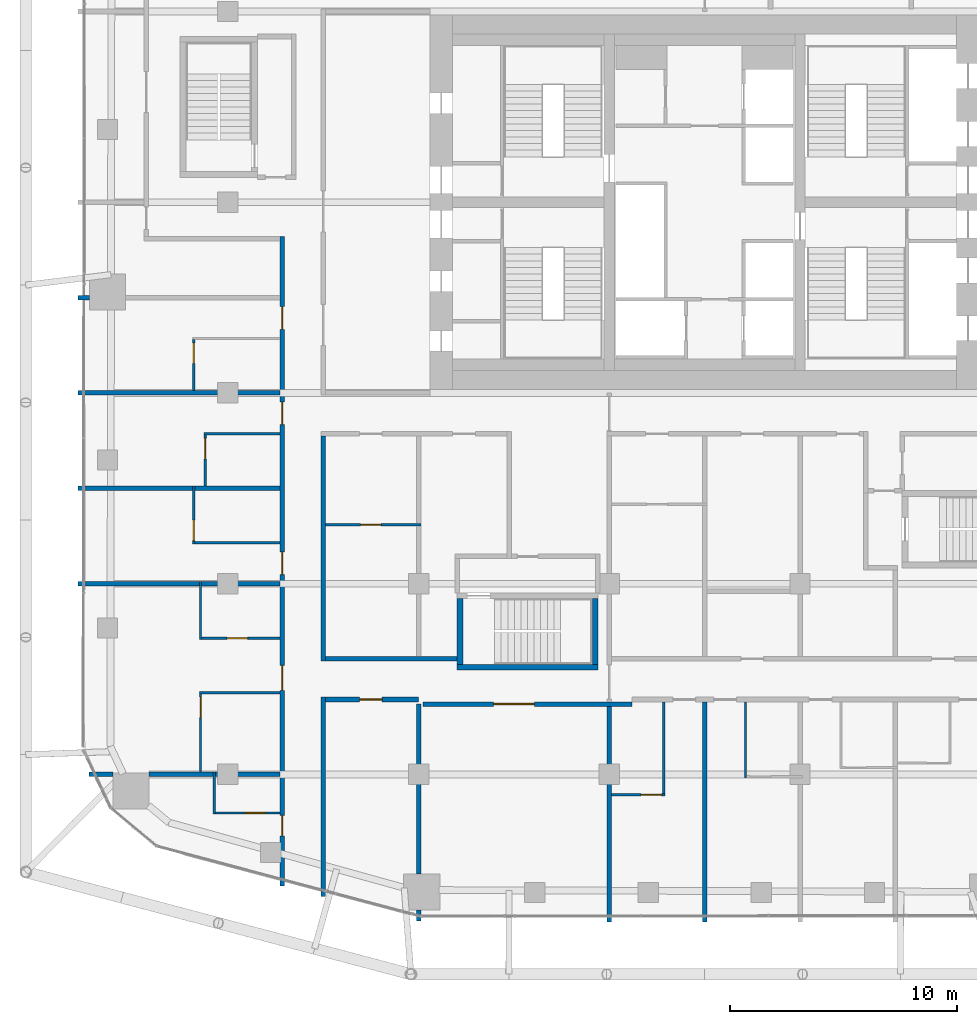
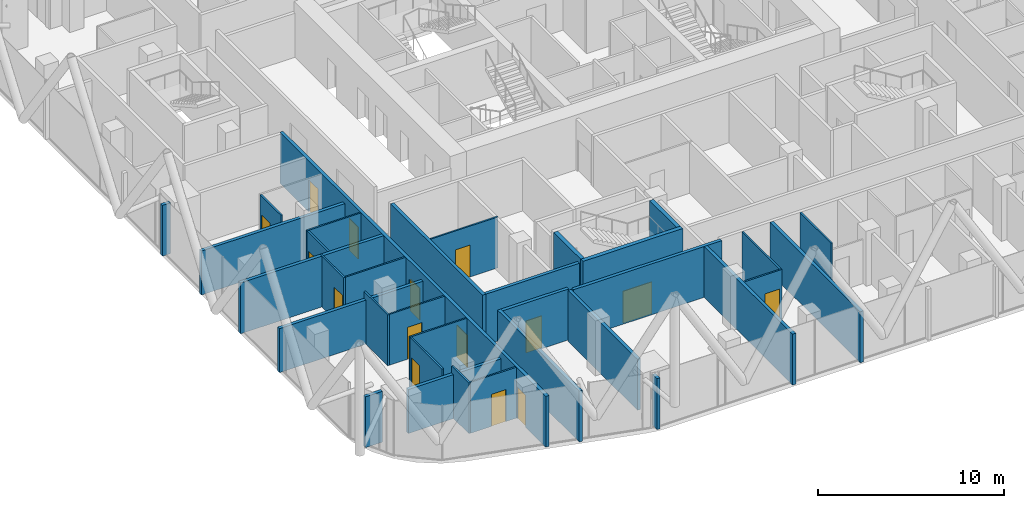
# One storey, part 27 of 36: 34 walls, 15 doors, 15 openings.
"""IFC4 building model written with IfcOpenShell, lengths in metres."""

from ifc_helpers import new_model, si_unit, direction, frame, frame_2d, origin, place, context, subcontext, project, spatial, rectangle, extrude, material, layer, layer_set, type_object, element, fill, save


model = new_model("IFC4")

# Units and contexts
model_context = context("Model", 3, precision=1e-05, world=origin(), true_north=direction((0.0, 1.0)))
body_context = subcontext(model_context, "Body", "Model", "MODEL_VIEW")
ifc_project = project(units=[si_unit("LENGTHUNIT", "METRE"), si_unit("AREAUNIT", "SQUARE_METRE"), si_unit("VOLUMEUNIT", "CUBIC_METRE"), si_unit("PLANEANGLEUNIT", "RADIAN"), si_unit("MASSUNIT", "GRAM", prefix="KILO")], contexts=[model_context])

# Site, building, storey
site_placement = place(None, origin())
site = spatial("IfcSite", under=ifc_project, at=site_placement, CompositionType="ELEMENT")
building_placement = place(site_placement, origin())
building = spatial("IfcBuilding", under=site, at=building_placement, Name="Marenta Gate Hotel Tower", CompositionType="ELEMENT")
storey_placement = place(building_placement, frame((0.0, 0.0, 144.5)))
storey = spatial("IfcBuildingStorey", under=building, at=storey_placement, Name="L33", CompositionType="ELEMENT", Elevation=144.5)

# Walls
ifc_material_1 = material(Name="Concrete blockwork", Category="masonry")
ifc_layer_1 = layer(ifc_material_1, 0.199951171875)
ifc_layer_set_1 = layer_set([ifc_layer_1], Name="Concrete blockwork")
wall_type_1 = type_object("IfcWallType", Name="Compartment wall 200 REI 180", PredefinedType="PARTITIONING", material=ifc_layer_set_1)
wall_1_placement = place(storey_placement, frame((-4.199951171875, -23.300048828125, 0.0), z_axis=(0.0, 0.0, 1.0), x_axis=(0.0, 1.0, 0.0)))
element("IfcWall", 1, at=wall_1_placement, inside=storey, type_object=wall_type_1, Name="L33-PTN-W082", PredefinedType="PARTITIONING", context=body_context, shape_type="SweptSolid", body=[
    extrude(rectangle(XDim=9.5, YDim=0.199951171875, at=frame_2d((4.75, 0.0))), origin(), (0.0, 0.0, 1.0), 3.340087890625),
])
ifc_material_2 = material(Name="Concrete C40", Category="concrete")
ifc_layer_2 = layer(ifc_material_2, 0.25)
ifc_layer_set_2 = layer_set([ifc_layer_2], Name="Concrete C40")
wall_type_2 = type_object("IfcWallType", Name="Remote stair enclosure wall 250 REI 180", PredefinedType="SHEAR", material=ifc_layer_set_2)
wall_2_placement = place(storey_placement, frame((-10.89990234375, -12.074951171875, 0.10009765625), z_axis=(0.0, 0.0, 1.0), x_axis=(1.0, 0.0, 0.0)))
element("IfcWall", 2, at=wall_2_placement, inside=storey, type_object=wall_type_2, Name="L33-RS-Z2-1-W1", PredefinedType="SHEAR", context=body_context, shape_type="SweptSolid", body=[
    extrude(rectangle(XDim=6.199951171875, YDim=0.25, at=frame_2d((3.10009765625, 0.0))), origin(), (0.0, 0.0, 1.0), 3.599853515625),
])
for number, where, z_axis, x_axis, name in (
    (3, (-10.77490234375, -11.949951171875, 0.10009765625), (0.0, 0.0, 1.0), (0.0, 1.0, 0.0), "L33-RS-Z2-1-W3"),
    (4, (-4.824951171875, -11.949951171875, 0.10009765625), (0.0, 0.0, 1.0), (0.0, 1.0, 0.0), "L33-RS-Z2-1-W4"),
):
    element("IfcWall", number, at=place(storey_placement, frame(where, z_axis=z_axis, x_axis=x_axis)), inside=storey, type_object=wall_type_2, Name=name, PredefinedType="SHEAR", context=body_context, shape_type="SweptSolid", body=[
        extrude(rectangle(XDim=2.89990234375, YDim=0.25, at=frame_2d((1.449951171875, 0.0))), origin(), (0.0, 0.0, 1.0), 3.599853515625),
    ])

# Wall, opening, door
ifc_material_3 = material(Name="Gypsum board on steel stud", Category="steel")
ifc_layer_3 = layer(ifc_material_3, 0.199951171875)
ifc_layer_set_3 = layer_set([ifc_layer_3], Name="Gypsum board on steel stud")
wall_type_3 = type_object("IfcWallType", Name="Room corridor wall 200 EI 60", PredefinedType="PARTITIONING", material=ifc_layer_set_3)
wall_3_placement = place(storey_placement, frame((-12.39990234375, -13.699951171875, 0.0), z_axis=(0.0, 0.0, 1.0), x_axis=(1.0, 0.0, 0.0)))
wall_3 = element("IfcWall", 5, at=wall_3_placement, inside=storey, type_object=wall_type_3, Name="L33-PTN-W028", PredefinedType="PARTITIONING", context=body_context, shape_type="SweptSolid", body=[
    extrude(rectangle(XDim=9.199951171875, YDim=0.199951171875, at=frame_2d((4.60009765625, 0.0))), origin(), (0.0, 0.0, 1.0), 3.340087890625),
])
opening_1_placement = place(wall_3_placement, frame((3.10009765625, 0.0, 0.0)))
opening_1 = element("IfcOpeningElement", 6, at=opening_1_placement, cuts=wall_3, Name="Opening G12-39", PredefinedType="OPENING", context=body_context, shape_type="SweptSolid", body=[
    extrude(rectangle(XDim=1.800048828125, YDim=2.10009765625, at=frame_2d((0.89990234375, 1.050048828125))), frame((0.0, 0.10009765625, 0.0), z_axis=(0.0, -1.0, 0.0), x_axis=(1.0, 0.0, 0.0)), (0.0, 0.0, 1.0), 0.199951171875),
])
ifc_material_4 = material(Name="Timber door leaf", Category="wood")
door_type_1 = type_object("IfcDoorType", Name="Room amenity door 1800x2100 EI 30", OperationType="DOUBLE_DOOR_SINGLE_SWING", PredefinedType="DOOR", material=ifc_material_4)
door_1_placement = place(opening_1_placement, origin())
door_1 = element("IfcDoor", 7, at=door_1_placement, inside=storey, type_object=door_type_1, Name="L33-PD-D039", OperationType="DOUBLE_DOOR_SINGLE_SWING", OverallHeight=2.10009765625, OverallWidth=1.800048828125, PredefinedType="DOOR", context=body_context, shape_type="SweptSolid", body=[
    extrude(rectangle(XDim=1.800048828125, YDim=2.10009765625, at=frame_2d((0.89990234375, 1.050048828125))), frame((0.0, 0.02490234375, 0.0), z_axis=(0.0, -1.0, 0.0), x_axis=(1.0, 0.0, 0.0)), (0.0, 0.0, 1.0), 0.050048828125),
])
fill(opening_1, door_1)

wall_4_placement = place(storey_placement, frame((-16.699951171875, -13.5, 0.0), z_axis=(0.0, 0.0, 1.0), x_axis=(1.0, 0.0, 0.0)))
wall_4 = element("IfcWall", 8, at=wall_4_placement, inside=storey, type_object=wall_type_3, Name="L33-PTN-W029", PredefinedType="PARTITIONING", context=body_context, shape_type="SweptSolid", body=[
    extrude(rectangle(XDim=4.099853515625, YDim=0.199951171875, at=frame_2d((2.0498046875, 0.0))), origin(), (0.0, 0.0, 1.0), 3.340087890625),
])
opening_2_placement = place(wall_4_placement, frame((1.5, 0.0, 0.0)))
opening_2 = element("IfcOpeningElement", 9, at=opening_2_placement, cuts=wall_4, Name="Opening G12-38", PredefinedType="OPENING", context=body_context, shape_type="SweptSolid", body=[
    extrude(rectangle(XDim=1.0, YDim=2.10009765625, at=frame_2d((0.5, 1.050048828125))), frame((0.0, 0.10009765625, 0.0), z_axis=(0.0, -1.0, 0.0), x_axis=(1.0, 0.0, 0.0)), (0.0, 0.0, 1.0), 0.199951171875),
])
ifc_material_5 = material(Name="Timber door leaf", Category="wood")
door_type_2 = type_object("IfcDoorType", Name="Room amenity door 1000x2100 EI 30", OperationType="NOTDEFINED", PredefinedType="DOOR", material=ifc_material_5)
door_2_placement = place(opening_2_placement, origin())
door_2 = element("IfcDoor", 10, at=door_2_placement, inside=storey, type_object=door_type_2, Name="L33-PD-D038", OperationType="SINGLE_SWING_LEFT", OverallHeight=2.10009765625, OverallWidth=1.0, PredefinedType="DOOR", context=body_context, shape_type="SweptSolid", body=[
    extrude(rectangle(XDim=1.0, YDim=2.10009765625, at=frame_2d((0.5, 1.050048828125))), frame((0.0, 0.02490234375, 0.0), z_axis=(0.0, -1.0, 0.0), x_axis=(1.0, 0.0, 0.0)), (0.0, 0.0, 1.0), 0.050048828125),
])
fill(opening_2, door_2)

# Walls
wall_5_placement = place(storey_placement, frame((-16.699951171875, -11.699951171875, 0.0), z_axis=(0.0, 0.0, 1.0), x_axis=(1.0, 0.0, 0.0)))
element("IfcWall", 11, at=wall_5_placement, inside=storey, type_object=wall_type_3, Name="L33-PTN-W037", PredefinedType="PARTITIONING", context=body_context, shape_type="SweptSolid", body=[
    extrude(rectangle(XDim=5.800048828125, YDim=0.199951171875, at=frame_2d((2.89990234375, 0.0))), origin(), (0.0, 0.0, 1.0), 3.340087890625),
])
wall_6_placement = place(storey_placement, frame((-16.800048828125, -22.18603515625, 0.0), z_axis=(0.0, 0.0, 1.0), x_axis=(0.0, 1.0, 0.0)))
element("IfcWall", 12, at=wall_6_placement, inside=storey, type_object=wall_type_3, Name="L33-PTN-W103", PredefinedType="PARTITIONING", context=body_context, shape_type="SweptSolid", body=[
    extrude(rectangle(XDim=8.7861328125, YDim=0.199951171875, at=frame_2d((4.39306640625, 0.0))), origin(), (0.0, 0.0, 1.0), 3.340087890625),
])
wall_7_placement = place(storey_placement, frame((-16.800048828125, -11.800048828125, 0.0), z_axis=(0.0, 0.0, 1.0), x_axis=(0.0, 1.0, 0.0)))
element("IfcWall", 13, at=wall_7_placement, inside=storey, type_object=wall_type_3, Name="L33-PTN-W104", PredefinedType="PARTITIONING", context=body_context, shape_type="SweptSolid", body=[
    extrude(rectangle(XDim=9.900146484375, YDim=0.199951171875, at=frame_2d((4.9501953125, 0.0))), origin(), (0.0, 0.0, 1.0), 3.340087890625),
])

# Wall, openings, doors
wall_8_placement = place(storey_placement, frame((-18.60009765625, -21.7080078125, 0.0), z_axis=(0.0, 0.0, 1.0), x_axis=(0.0, 1.0, 0.0)))
wall_8 = element("IfcWall", 14, at=wall_8_placement, inside=storey, type_object=wall_type_3, Name="L33-PTN-W110", PredefinedType="PARTITIONING", context=body_context, shape_type="SweptSolid", body=[
    extrude(rectangle(XDim=28.60791015625, YDim=0.199951171875, at=frame_2d((14.303955078125, 0.0))), origin(), (0.0, 0.0, 1.0), 3.340087890625),
])
opening_3_placement = place(wall_8_placement, frame((2.2041015625, 0.0, 0.0)))
opening_3 = element("IfcOpeningElement", 15, at=opening_3_placement, cuts=wall_8, Name="Opening G12-50", PredefinedType="OPENING", context=body_context, shape_type="SweptSolid", body=[
    extrude(rectangle(XDim=0.89990234375, YDim=2.10009765625, at=frame_2d((0.449951171875, 1.050048828125))), frame((0.0, 0.10009765625, 0.0), z_axis=(0.0, -1.0, 0.0), x_axis=(1.0, 0.0, 0.0)), (0.0, 0.0, 1.0), 0.199951171875),
])
opening_4_placement = place(wall_8_placement, frame((8.60791015625, 0.0, 0.0)))
opening_4 = element("IfcOpeningElement", 16, at=opening_4_placement, cuts=wall_8, Name="Opening G12-52", PredefinedType="OPENING", context=body_context, shape_type="SweptSolid", body=[
    extrude(rectangle(XDim=1.10009765625, YDim=2.10009765625, at=frame_2d((0.550048828125, 1.050048828125))), frame((0.0, 0.10009765625, 0.0), z_axis=(0.0, -1.0, 0.0), x_axis=(1.0, 0.0, 0.0)), (0.0, 0.0, 1.0), 0.199951171875),
])
opening_5_placement = place(wall_8_placement, frame((13.7080078125, 0.0, 0.0)))
opening_5 = element("IfcOpeningElement", 17, at=opening_5_placement, cuts=wall_8, Name="Opening G12-55", PredefinedType="OPENING", context=body_context, shape_type="SweptSolid", body=[
    extrude(rectangle(XDim=1.0, YDim=2.10009765625, at=frame_2d((0.5, 1.050048828125))), frame((0.0, 0.10009765625, 0.0), z_axis=(0.0, -1.0, 0.0), x_axis=(1.0, 0.0, 0.0)), (0.0, 0.0, 1.0), 0.199951171875),
])
opening_6_placement = place(wall_8_placement, frame((20.30810546875, 0.0, 0.0)))
opening_6 = element("IfcOpeningElement", 18, at=opening_6_placement, cuts=wall_8, Name="Opening G12-57", PredefinedType="OPENING", context=body_context, shape_type="SweptSolid", body=[
    extrude(rectangle(XDim=1.0, YDim=2.10009765625, at=frame_2d((0.5, 1.050048828125))), frame((0.0, 0.10009765625, 0.0), z_axis=(0.0, -1.0, 0.0), x_axis=(1.0, 0.0, 0.0)), (0.0, 0.0, 1.0), 0.199951171875),
])
opening_7_placement = place(wall_8_placement, frame((24.508056640625, 0.0, 0.0)))
opening_7 = element("IfcOpeningElement", 19, at=opening_7_placement, cuts=wall_8, Name="Opening G12-59", PredefinedType="OPENING", context=body_context, shape_type="SweptSolid", body=[
    extrude(rectangle(XDim=1.0, YDim=2.10009765625, at=frame_2d((0.5, 1.050048828125))), frame((0.0, 0.10009765625, 0.0), z_axis=(0.0, -1.0, 0.0), x_axis=(1.0, 0.0, 0.0)), (0.0, 0.0, 1.0), 0.199951171875),
])
ifc_material_6 = material(Name="Timber door leaf", Category="wood")
door_type_3 = type_object("IfcDoorType", Name="Guest room door 1000x2100 EI 30", OperationType="NOTDEFINED", PredefinedType="DOOR", material=ifc_material_6)
door_3_placement = place(opening_5_placement, origin())
door_3 = element("IfcDoor", 20, at=door_3_placement, inside=storey, type_object=door_type_3, Name="L33-PD-D055", OperationType="SINGLE_SWING_RIGHT", OverallHeight=2.10009765625, OverallWidth=1.0, PredefinedType="DOOR", context=body_context, shape_type="SweptSolid", body=[
    extrude(rectangle(XDim=1.0, YDim=2.10009765625, at=frame_2d((0.5, 1.050048828125))), frame((0.0, 0.02490234375, 0.0), z_axis=(0.0, -1.0, 0.0), x_axis=(1.0, 0.0, 0.0)), (0.0, 0.0, 1.0), 0.050048828125),
])
fill(opening_5, door_3)
door_4_placement = place(opening_6_placement, origin())
door_4 = element("IfcDoor", 21, at=door_4_placement, inside=storey, type_object=door_type_3, Name="L33-PD-D057", OperationType="SINGLE_SWING_RIGHT", OverallHeight=2.10009765625, OverallWidth=1.0, PredefinedType="DOOR", context=body_context, shape_type="SweptSolid", body=[
    extrude(rectangle(XDim=1.0, YDim=2.10009765625, at=frame_2d((0.5, 1.050048828125))), frame((0.0, 0.02490234375, 0.0), z_axis=(0.0, -1.0, 0.0), x_axis=(1.0, 0.0, 0.0)), (0.0, 0.0, 1.0), 0.050048828125),
])
fill(opening_6, door_4)
door_5_placement = place(opening_7_placement, origin())
door_5 = element("IfcDoor", 22, at=door_5_placement, inside=storey, type_object=door_type_3, Name="L33-PD-D059", OperationType="SINGLE_SWING_RIGHT", OverallHeight=2.10009765625, OverallWidth=1.0, PredefinedType="DOOR", context=body_context, shape_type="SweptSolid", body=[
    extrude(rectangle(XDim=1.0, YDim=2.10009765625, at=frame_2d((0.5, 1.050048828125))), frame((0.0, 0.02490234375, 0.0), z_axis=(0.0, -1.0, 0.0), x_axis=(1.0, 0.0, 0.0)), (0.0, 0.0, 1.0), 0.050048828125),
])
fill(opening_7, door_5)
ifc_material_7 = material(Name="Timber door leaf", Category="wood")
door_type_4 = type_object("IfcDoorType", Name="Guest room door 1100x2100 EI 30", OperationType="NOTDEFINED", PredefinedType="DOOR", material=ifc_material_7)
door_6_placement = place(opening_4_placement, origin())
door_6 = element("IfcDoor", 23, at=door_6_placement, inside=storey, type_object=door_type_4, Name="L33-PD-D052", OperationType="SINGLE_SWING_LEFT", OverallHeight=2.10009765625, OverallWidth=1.10009765625, PredefinedType="DOOR", context=body_context, shape_type="SweptSolid", body=[
    extrude(rectangle(XDim=1.10009765625, YDim=2.10009765625, at=frame_2d((0.550048828125, 1.050048828125))), frame((0.0, 0.02490234375, 0.0), z_axis=(0.0, -1.0, 0.0), x_axis=(1.0, 0.0, 0.0)), (0.0, 0.0, 1.0), 0.050048828125),
])
fill(opening_4, door_6)
ifc_material_8 = material(Name="Timber door leaf", Category="wood")
door_type_5 = type_object("IfcDoorType", Name="Guest room door 900x2100 EI 30", OperationType="NOTDEFINED", PredefinedType="DOOR", material=ifc_material_8)
door_7_placement = place(opening_3_placement, origin())
door_7 = element("IfcDoor", 24, at=door_7_placement, inside=storey, type_object=door_type_5, Name="L33-PD-D050", OperationType="SINGLE_SWING_RIGHT", OverallHeight=2.10009765625, OverallWidth=0.89990234375, PredefinedType="DOOR", context=body_context, shape_type="SweptSolid", body=[
    extrude(rectangle(XDim=0.89990234375, YDim=2.10009765625, at=frame_2d((0.449951171875, 1.050048828125))), frame((0.0, 0.02490234375, 0.0), z_axis=(0.0, -1.0, 0.0), x_axis=(1.0, 0.0, 0.0)), (0.0, 0.0, 1.0), 0.050048828125),
])
fill(opening_3, door_7)

# Wall, opening, door
ifc_material_9 = material(Name="Gypsum board on steel stud", Category="steel")
ifc_layer_4 = layer(ifc_material_9, 0.10009765625)
ifc_layer_set_4 = layer_set([ifc_layer_4], Name="Gypsum board on steel stud")
wall_type_4 = type_object("IfcWallType", Name="Room partition 100", PredefinedType="PARTITIONING", material=ifc_layer_set_4)
wall_9_placement = place(storey_placement, frame((-21.550048828125, -18.5, 0.0), z_axis=(0.0, 0.0, 1.0), x_axis=(1.0, 0.0, 0.0)))
wall_9 = element("IfcWall", 25, at=wall_9_placement, inside=storey, type_object=wall_type_4, Name="L33-PTN-W014", PredefinedType="PARTITIONING", context=body_context, shape_type="SweptSolid", body=[
    extrude(rectangle(XDim=2.85009765625, YDim=0.10009765625, at=frame_2d((1.425048828125, 0.0))), origin(), (0.0, 0.0, 1.0), 3.340087890625),
])
opening_8_placement = place(wall_9_placement, frame((1.300048828125, 0.0, 0.0)))
opening_8 = element("IfcOpeningElement", 26, at=opening_8_placement, cuts=wall_9, Name="Opening G12-51", PredefinedType="OPENING", context=body_context, shape_type="SweptSolid", body=[
    extrude(rectangle(XDim=0.89990234375, YDim=2.10009765625, at=frame_2d((0.449951171875, 1.050048828125))), frame((0.0, 0.050048828125, 0.0), z_axis=(0.0, -1.0, 0.0), x_axis=(1.0, 0.0, 0.0)), (0.0, 0.0, 1.0), 0.10009765625),
])
ifc_material_10 = material(Name="Timber door leaf", Category="wood")
door_type_6 = type_object("IfcDoorType", Name="Guest bathroom door 900x2100", OperationType="NOTDEFINED", PredefinedType="DOOR", material=ifc_material_10)
door_8_placement = place(opening_8_placement, origin())
door_8 = element("IfcDoor", 27, at=door_8_placement, inside=storey, type_object=door_type_6, Name="L33-PD-D051", OperationType="SINGLE_SWING_RIGHT", OverallHeight=2.10009765625, OverallWidth=0.89990234375, PredefinedType="DOOR", context=body_context, shape_type="SweptSolid", body=[
    extrude(rectangle(XDim=0.89990234375, YDim=2.10009765625, at=frame_2d((0.449951171875, 1.050048828125))), frame((0.0, 0.02490234375, 0.0), z_axis=(0.0, -1.0, 0.0), x_axis=(1.0, 0.0, 0.0)), (0.0, 0.0, 1.0), 0.050048828125),
])
fill(opening_8, door_8)

wall_10_placement = place(storey_placement, frame((-4.10009765625, -17.699951171875, 0.0), z_axis=(0.0, 0.0, 1.0), x_axis=(1.0, 0.0, 0.0)))
wall_10 = element("IfcWall", 28, at=wall_10_placement, inside=storey, type_object=wall_type_4, Name="L33-PTN-W015", PredefinedType="PARTITIONING", context=body_context, shape_type="SweptSolid", body=[
    extrude(rectangle(XDim=2.35009765625, YDim=0.10009765625, at=frame_2d((1.175048828125, 0.0))), origin(), (0.0, 0.0, 1.0), 3.340087890625),
])
opening_9_placement = place(wall_10_placement, frame((1.300048828125, 0.0, 0.0)))
opening_9 = element("IfcOpeningElement", 29, at=opening_9_placement, cuts=wall_10, Name="Opening G12-41", PredefinedType="OPENING", context=body_context, shape_type="SweptSolid", body=[
    extrude(rectangle(XDim=0.89990234375, YDim=2.10009765625, at=frame_2d((0.449951171875, 1.050048828125))), frame((0.0, 0.050048828125, 0.0), z_axis=(0.0, -1.0, 0.0), x_axis=(1.0, 0.0, 0.0)), (0.0, 0.0, 1.0), 0.10009765625),
])
door_9_placement = place(opening_9_placement, origin())
door_9 = element("IfcDoor", 30, at=door_9_placement, inside=storey, type_object=door_type_6, Name="L33-PD-D041", OperationType="SINGLE_SWING_RIGHT", OverallHeight=2.10009765625, OverallWidth=0.89990234375, PredefinedType="DOOR", context=body_context, shape_type="SweptSolid", body=[
    extrude(rectangle(XDim=0.89990234375, YDim=2.10009765625, at=frame_2d((0.449951171875, 1.050048828125))), frame((0.0, 0.02490234375, 0.0), z_axis=(0.0, -1.0, 0.0), x_axis=(1.0, 0.0, 0.0)), (0.0, 0.0, 1.0), 0.050048828125),
])
fill(opening_9, door_9)

# Wall
wall_11_placement = place(storey_placement, frame((-22.25, -13.199951171875, 0.0), z_axis=(0.0, 0.0, 1.0), x_axis=(1.0, 0.0, 0.0)))
element("IfcWall", 31, at=wall_11_placement, inside=storey, type_object=wall_type_4, Name="L33-PTN-W031", PredefinedType="PARTITIONING", context=body_context, shape_type="SweptSolid", body=[
    extrude(rectangle(XDim=3.550048828125, YDim=0.10009765625, at=frame_2d((1.77490234375, 0.0))), origin(), (0.0, 0.0, 1.0), 3.340087890625),
])

# Wall, opening, door
wall_12_placement = place(storey_placement, frame((-22.14990234375, -10.800048828125, 0.0), z_axis=(0.0, 0.0, 1.0), x_axis=(1.0, 0.0, 0.0)))
wall_12 = element("IfcWall", 32, at=wall_12_placement, inside=storey, type_object=wall_type_4, Name="L33-PTN-W040", PredefinedType="PARTITIONING", context=body_context, shape_type="SweptSolid", body=[
    extrude(rectangle(XDim=3.449951171875, YDim=0.10009765625, at=frame_2d((1.72509765625, 0.0))), origin(), (0.0, 0.0, 1.0), 3.340087890625),
])
opening_10_placement = place(wall_12_placement, frame((1.1201171875, 0.0, 0.0)))
opening_10 = element("IfcOpeningElement", 33, at=opening_10_placement, cuts=wall_12, Name="Opening G12-54", PredefinedType="OPENING", context=body_context, shape_type="SweptSolid", body=[
    extrude(rectangle(XDim=0.89990234375, YDim=2.10009765625, at=frame_2d((0.449951171875, 1.050048828125))), frame((0.0, 0.050048828125, 0.0), z_axis=(0.0, -1.0, 0.0), x_axis=(1.0, 0.0, 0.0)), (0.0, 0.0, 1.0), 0.10009765625),
])
ifc_material_11 = material(Name="Timber door leaf", Category="wood")
door_type_7 = type_object("IfcDoorType", Name="Room inner door 900x2100", OperationType="NOTDEFINED", PredefinedType="DOOR", material=ifc_material_11)
door_10_placement = place(opening_10_placement, origin())
door_10 = element("IfcDoor", 34, at=door_10_placement, inside=storey, type_object=door_type_7, Name="L33-PD-D054", OperationType="SINGLE_SWING_LEFT", OverallHeight=2.10009765625, OverallWidth=0.89990234375, PredefinedType="DOOR", context=body_context, shape_type="SweptSolid", body=[
    extrude(rectangle(XDim=0.89990234375, YDim=2.10009765625, at=frame_2d((0.449951171875, 1.050048828125))), frame((0.0, 0.02490234375, 0.0), z_axis=(0.0, -1.0, 0.0), x_axis=(1.0, 0.0, 0.0)), (0.0, 0.0, 1.0), 0.050048828125),
])
fill(opening_10, door_10)

# Wall
wall_13_placement = place(storey_placement, frame((-22.449951171875, -6.60009765625, 0.0), z_axis=(0.0, 0.0, 1.0), x_axis=(1.0, 0.0, 0.0)))
element("IfcWall", 35, at=wall_13_placement, inside=storey, type_object=wall_type_4, Name="L33-PTN-W054", PredefinedType="PARTITIONING", context=body_context, shape_type="SweptSolid", body=[
    extrude(rectangle(XDim=3.75, YDim=0.10009765625, at=frame_2d((1.875, 0.0))), origin(), (0.0, 0.0, 1.0), 3.340087890625),
])

# Wall, opening, door
wall_14_placement = place(storey_placement, frame((-16.699951171875, -5.800048828125, 0.0), z_axis=(0.0, 0.0, 1.0), x_axis=(1.0, 0.0, 0.0)))
wall_14 = element("IfcWall", 36, at=wall_14_placement, inside=storey, type_object=wall_type_4, Name="L33-PTN-W057", PredefinedType="PARTITIONING", context=body_context, shape_type="SweptSolid", body=[
    extrude(rectangle(XDim=4.199951171875, YDim=0.10009765625, at=frame_2d((2.10009765625, 0.0))), origin(), (0.0, 0.0, 1.0), 3.340087890625),
])
opening_11_placement = place(wall_14_placement, frame((1.550048828125, 0.0, 0.0)))
opening_11 = element("IfcOpeningElement", 37, at=opening_11_placement, cuts=wall_14, Name="Opening G12-02", PredefinedType="OPENING", context=body_context, shape_type="SweptSolid", body=[
    extrude(rectangle(XDim=0.89990234375, YDim=2.10009765625, at=frame_2d((0.449951171875, 1.050048828125))), frame((0.0, 0.050048828125, 0.0), z_axis=(0.0, -1.0, 0.0), x_axis=(1.0, 0.0, 0.0)), (0.0, 0.0, 1.0), 0.10009765625),
])
door_11_placement = place(opening_11_placement, origin())
door_11 = element("IfcDoor", 38, at=door_11_placement, inside=storey, type_object=door_type_7, Name="L33-PD-D002", OperationType="SINGLE_SWING_RIGHT", OverallHeight=2.10009765625, OverallWidth=0.89990234375, PredefinedType="DOOR", context=body_context, shape_type="SweptSolid", body=[
    extrude(rectangle(XDim=0.89990234375, YDim=2.10009765625, at=frame_2d((0.449951171875, 1.050048828125))), frame((0.0, 0.02490234375, 0.0), z_axis=(0.0, -1.0, 0.0), x_axis=(1.0, 0.0, 0.0)), (0.0, 0.0, 1.0), 0.050048828125),
])
fill(opening_11, door_11)

# Walls
wall_15_placement = place(storey_placement, frame((1.800048828125, -16.949951171875, 0.0), z_axis=(0.0, 0.0, 1.0), x_axis=(0.0, 1.0, 0.0)))
element("IfcWall", 39, at=wall_15_placement, inside=storey, type_object=wall_type_4, Name="L33-PTN-W066", PredefinedType="PARTITIONING", context=body_context, shape_type="SweptSolid", body=[
    extrude(rectangle(XDim=3.349853515625, YDim=0.10009765625, at=frame_2d((1.6748046875, 0.0))), origin(), (0.0, 0.0, 1.0), 3.340087890625),
])
wall_16_placement = place(storey_placement, frame((-22.050048828125, -1.800048828125, 0.0), z_axis=(0.0, 0.0, 1.0), x_axis=(1.0, 0.0, 0.0)))
element("IfcWall", 40, at=wall_16_placement, inside=storey, type_object=wall_type_4, Name="L33-PTN-W067", PredefinedType="PARTITIONING", context=body_context, shape_type="SweptSolid", body=[
    extrude(rectangle(XDim=3.35009765625, YDim=0.10009765625, at=frame_2d((1.675048828125, 0.0))), origin(), (0.0, 0.0, 1.0), 3.340087890625),
])
wall_17_placement = place(storey_placement, frame((-1.800048828125, -17.64990234375, 0.0), z_axis=(0.0, 0.0, 1.0), x_axis=(0.0, 1.0, 0.0)))
element("IfcWall", 41, at=wall_17_placement, inside=storey, type_object=wall_type_4, Name="L33-PTN-W078", PredefinedType="PARTITIONING", context=body_context, shape_type="SweptSolid", body=[
    extrude(rectangle(XDim=4.0498046875, YDim=0.10009765625, at=frame_2d((2.02490234375, 0.0))), origin(), (0.0, 0.0, 1.0), 3.340087890625),
])
wall_18_placement = place(storey_placement, frame((-21.60009765625, -18.550048828125, 0.0), z_axis=(0.0, 0.0, 1.0), x_axis=(0.0, 1.0, 0.0)))
element("IfcWall", 42, at=wall_18_placement, inside=storey, type_object=wall_type_4, Name="L33-PTN-W116", PredefinedType="PARTITIONING", context=body_context, shape_type="SweptSolid", body=[
    extrude(rectangle(XDim=1.85009765625, YDim=0.10009765625, at=frame_2d((0.925048828125, 0.0))), origin(), (0.0, 0.0, 1.0), 3.340087890625),
])

# Wall, opening, door
wall_19_placement = place(storey_placement, frame((-22.0, -4.10009765625, 0.0), z_axis=(0.0, 0.0, 1.0), x_axis=(0.0, 1.0, 0.0)))
wall_19 = element("IfcWall", 43, at=wall_19_placement, inside=storey, type_object=wall_type_4, Name="L33-PTN-W117", PredefinedType="PARTITIONING", context=body_context, shape_type="SweptSolid", body=[
    extrude(rectangle(XDim=2.25, YDim=0.10009765625, at=frame_2d((1.125, 0.0))), origin(), (0.0, 0.0, 1.0), 3.340087890625),
])
opening_12_placement = place(wall_19_placement, frame((1.199951171875, 0.0, 0.0)))
opening_12 = element("IfcOpeningElement", 44, at=opening_12_placement, cuts=wall_19, Name="Opening G12-58", PredefinedType="OPENING", context=body_context, shape_type="SweptSolid", body=[
    extrude(rectangle(XDim=0.89990234375, YDim=2.10009765625, at=frame_2d((0.449951171875, 1.050048828125))), frame((0.0, 0.050048828125, 0.0), z_axis=(0.0, -1.0, 0.0), x_axis=(1.0, 0.0, 0.0)), (0.0, 0.0, 1.0), 0.10009765625),
])
door_12_placement = place(opening_12_placement, origin())
door_12 = element("IfcDoor", 45, at=door_12_placement, inside=storey, type_object=door_type_6, Name="L33-PD-D058", OperationType="SINGLE_SWING_LEFT", OverallHeight=2.10009765625, OverallWidth=0.89990234375, PredefinedType="DOOR", context=body_context, shape_type="SweptSolid", body=[
    extrude(rectangle(XDim=0.89990234375, YDim=2.10009765625, at=frame_2d((0.449951171875, 1.050048828125))), frame((0.0, 0.02490234375, 0.0), z_axis=(0.0, -1.0, 0.0), x_axis=(1.0, 0.0, 0.0)), (0.0, 0.0, 1.0), 0.050048828125),
])
fill(opening_12, door_12)

wall_20_placement = place(storey_placement, frame((-22.199951171875, -16.699951171875, 0.0), z_axis=(0.0, 0.0, 1.0), x_axis=(0.0, 1.0, 0.0)))
wall_20 = element("IfcWall", 46, at=wall_20_placement, inside=storey, type_object=wall_type_4, Name="L33-PTN-W121", PredefinedType="PARTITIONING", context=body_context, shape_type="SweptSolid", body=[
    extrude(rectangle(XDim=3.449951171875, YDim=0.10009765625, at=frame_2d((1.72509765625, 0.0))), origin(), (0.0, 0.0, 1.0), 3.340087890625),
])
opening_13_placement = place(wall_20_placement, frame((2.39990234375, 0.0, 0.0)))
opening_13 = element("IfcOpeningElement", 47, at=opening_13_placement, cuts=wall_20, Name="Opening G12-53", PredefinedType="OPENING", context=body_context, shape_type="SweptSolid", body=[
    extrude(rectangle(XDim=0.89990234375, YDim=2.10009765625, at=frame_2d((0.449951171875, 1.050048828125))), frame((0.0, 0.050048828125, 0.0), z_axis=(0.0, -1.0, 0.0), x_axis=(1.0, 0.0, 0.0)), (0.0, 0.0, 1.0), 0.10009765625),
])
door_13_placement = place(opening_13_placement, origin())
door_13 = element("IfcDoor", 48, at=door_13_placement, inside=storey, type_object=door_type_6, Name="L33-PD-D053", OperationType="SINGLE_SWING_LEFT", OverallHeight=2.10009765625, OverallWidth=0.89990234375, PredefinedType="DOOR", context=body_context, shape_type="SweptSolid", body=[
    extrude(rectangle(XDim=0.89990234375, YDim=2.10009765625, at=frame_2d((0.449951171875, 1.050048828125))), frame((0.0, 0.02490234375, 0.0), z_axis=(0.0, -1.0, 0.0), x_axis=(1.0, 0.0, 0.0)), (0.0, 0.0, 1.0), 0.050048828125),
])
fill(opening_13, door_13)

# Wall
wall_21_placement = place(storey_placement, frame((-22.199951171875, -10.85009765625, 0.0), z_axis=(0.0, 0.0, 1.0), x_axis=(0.0, 1.0, 0.0)))
element("IfcWall", 49, at=wall_21_placement, inside=storey, type_object=wall_type_4, Name="L33-PTN-W122", PredefinedType="PARTITIONING", context=body_context, shape_type="SweptSolid", body=[
    extrude(rectangle(XDim=2.550048828125, YDim=0.10009765625, at=frame_2d((1.27490234375, 0.0))), origin(), (0.0, 0.0, 1.0), 3.340087890625),
])

# Wall, opening, door
wall_22_placement = place(storey_placement, frame((-22.5, -6.64990234375, 0.0), z_axis=(0.0, 0.0, 1.0), x_axis=(0.0, 1.0, 0.0)))
wall_22 = element("IfcWall", 50, at=wall_22_placement, inside=storey, type_object=wall_type_4, Name="L33-PTN-W125", PredefinedType="PARTITIONING", context=body_context, shape_type="SweptSolid", body=[
    extrude(rectangle(XDim=2.5498046875, YDim=0.10009765625, at=frame_2d((1.27490234375, 0.0))), origin(), (0.0, 0.0, 1.0), 3.340087890625),
])
opening_14_placement = place(wall_22_placement, frame((0.14990234375, 0.0, 0.0)))
opening_14 = element("IfcOpeningElement", 51, at=opening_14_placement, cuts=wall_22, Name="Opening G12-56", PredefinedType="OPENING", context=body_context, shape_type="SweptSolid", body=[
    extrude(rectangle(XDim=0.89990234375, YDim=2.10009765625, at=frame_2d((0.449951171875, 1.050048828125))), frame((0.0, 0.050048828125, 0.0), z_axis=(0.0, -1.0, 0.0), x_axis=(1.0, 0.0, 0.0)), (0.0, 0.0, 1.0), 0.10009765625),
])
door_14_placement = place(opening_14_placement, origin())
door_14 = element("IfcDoor", 52, at=door_14_placement, inside=storey, type_object=door_type_6, Name="L33-PD-D056", OperationType="SINGLE_SWING_RIGHT", OverallHeight=2.10009765625, OverallWidth=0.89990234375, PredefinedType="DOOR", context=body_context, shape_type="SweptSolid", body=[
    extrude(rectangle(XDim=0.89990234375, YDim=2.10009765625, at=frame_2d((0.449951171875, 1.050048828125))), frame((0.0, 0.02490234375, 0.0), z_axis=(0.0, -1.0, 0.0), x_axis=(1.0, 0.0, 0.0)), (0.0, 0.0, 1.0), 0.050048828125),
])
fill(opening_14, door_14)

wall_23_placement = place(storey_placement, frame((-22.5, 0.10009765625, 0.0), z_axis=(0.0, 0.0, 1.0), x_axis=(0.0, 1.0, 0.0)))
wall_23 = element("IfcWall", 53, at=wall_23_placement, inside=storey, type_object=wall_type_4, Name="L33-PTN-W126", PredefinedType="PARTITIONING", context=body_context, shape_type="SweptSolid", body=[
    extrude(rectangle(XDim=2.25, YDim=0.10009765625, at=frame_2d((1.125, 0.0))), origin(), (0.0, 0.0, 1.0), 3.340087890625),
])
opening_15_placement = place(wall_23_placement, frame((1.199951171875, 0.0, 0.0)))
opening_15 = element("IfcOpeningElement", 54, at=opening_15_placement, cuts=wall_23, Name="Opening G12-60", PredefinedType="OPENING", context=body_context, shape_type="SweptSolid", body=[
    extrude(rectangle(XDim=0.89990234375, YDim=2.10009765625, at=frame_2d((0.449951171875, 1.050048828125))), frame((0.0, 0.050048828125, 0.0), z_axis=(0.0, -1.0, 0.0), x_axis=(1.0, 0.0, 0.0)), (0.0, 0.0, 1.0), 0.10009765625),
])
door_15_placement = place(opening_15_placement, origin())
door_15 = element("IfcDoor", 55, at=door_15_placement, inside=storey, type_object=door_type_6, Name="L33-PD-D060", OperationType="SINGLE_SWING_LEFT", OverallHeight=2.10009765625, OverallWidth=0.89990234375, PredefinedType="DOOR", context=body_context, shape_type="SweptSolid", body=[
    extrude(rectangle(XDim=0.89990234375, YDim=2.10009765625, at=frame_2d((0.449951171875, 1.050048828125))), frame((0.0, 0.02490234375, 0.0), z_axis=(0.0, -1.0, 0.0), x_axis=(1.0, 0.0, 0.0)), (0.0, 0.0, 1.0), 0.050048828125),
])
fill(opening_15, door_15)

# Walls
ifc_material_12 = material(Name="Gypsum board on steel stud", Category="steel")
ifc_layer_5 = layer(ifc_material_12, 0.199951171875)
ifc_layer_set_5 = layer_set([ifc_layer_5], Name="Gypsum board on steel stud")
wall_type_5 = type_object("IfcWallType", Name="Room party wall 200 EI 60", PredefinedType="PARTITIONING", material=ifc_layer_set_5)
wall_24_placement = place(storey_placement, frame((-27.112060546875, -16.800048828125, 0.0), z_axis=(0.0, 0.0, 1.0), x_axis=(1.0, 0.0, 0.0)))
element("IfcWall", 56, at=wall_24_placement, inside=storey, type_object=wall_type_5, Name="L33-PTN-W020", PredefinedType="PARTITIONING", context=body_context, shape_type="SweptSolid", body=[
    extrude(rectangle(XDim=1.049072265625, YDim=0.199951171875, at=frame_2d((0.5244140625, 0.0))), origin(), (0.0, 0.0, 1.0), 3.340087890625),
])
wall_25_placement = place(storey_placement, frame((-24.462890625, -16.800048828125, 0.0), z_axis=(0.0, 0.0, 1.0), x_axis=(1.0, 0.0, 0.0)))
element("IfcWall", 57, at=wall_25_placement, inside=storey, type_object=wall_type_5, Name="L33-PTN-W131", PredefinedType="PARTITIONING", context=body_context, shape_type="SweptSolid", body=[
    extrude(rectangle(XDim=5.762939453125, YDim=0.199951171875, at=frame_2d((2.88134765625, 0.0))), origin(), (0.0, 0.0, 1.0), 2.889892578125),
])
wall_26_placement = place(storey_placement, frame((-27.60009765625, -8.39990234375, 0.0), z_axis=(0.0, 0.0, 1.0), x_axis=(1.0, 0.0, 0.0)))
element("IfcWall", 58, at=wall_26_placement, inside=storey, type_object=wall_type_5, Name="L33-PTN-W047", PredefinedType="PARTITIONING", context=body_context, shape_type="SweptSolid", body=[
    extrude(rectangle(XDim=8.900146484375, YDim=0.199951171875, at=frame_2d((4.4501953125, 0.0))), origin(), (0.0, 0.0, 1.0), 2.889892578125),
])
wall_27_placement = place(storey_placement, frame((-27.60009765625, -4.199951171875, 0.0), z_axis=(0.0, 0.0, 1.0), x_axis=(1.0, 0.0, 0.0)))
element("IfcWall", 59, at=wall_27_placement, inside=storey, type_object=wall_type_5, Name="L33-PTN-W063", PredefinedType="PARTITIONING", context=body_context, shape_type="SweptSolid", body=[
    extrude(rectangle(XDim=8.900146484375, YDim=0.199951171875, at=frame_2d((4.4501953125, 0.0))), origin(), (0.0, 0.0, 1.0), 3.340087890625),
])
wall_28_placement = place(storey_placement, frame((0.0, -23.300048828125, 0.0), z_axis=(0.0, 0.0, 1.0), x_axis=(0.0, 1.0, 0.0)))
element("IfcWall", 60, at=wall_28_placement, inside=storey, type_object=wall_type_5, Name="L33-PTN-W073", PredefinedType="PARTITIONING", context=body_context, shape_type="SweptSolid", body=[
    extrude(rectangle(XDim=9.699951171875, YDim=0.199951171875, at=frame_2d((4.85009765625, 0.0))), origin(), (0.0, 0.0, 1.0), 3.340087890625),
])
wall_29_placement = place(storey_placement, frame((-27.60009765625, 0.0, 0.0), z_axis=(0.0, 0.0, 1.0), x_axis=(1.0, 0.0, 0.0)))
element("IfcWall", 61, at=wall_29_placement, inside=storey, type_object=wall_type_5, Name="L33-PTN-W076", PredefinedType="PARTITIONING", context=body_context, shape_type="SweptSolid", body=[
    extrude(rectangle(XDim=8.900146484375, YDim=0.199951171875, at=frame_2d((4.4501953125, 0.0))), origin(), (0.0, 0.0, 1.0), 2.889892578125),
])
wall_30_placement = place(storey_placement, frame((-27.60009765625, 4.199951171875, 0.0), z_axis=(0.0, 0.0, 1.0), x_axis=(1.0, 0.0, 0.0)))
element("IfcWall", 62, at=wall_30_placement, inside=storey, type_object=wall_type_5, Name="L33-PTN-W085", PredefinedType="PARTITIONING", context=body_context, shape_type="SweptSolid", body=[
    extrude(rectangle(XDim=0.5, YDim=0.199951171875, at=frame_2d((0.25, 0.0))), origin(), (0.0, 0.0, 1.0), 3.340087890625),
])
wall_31_placement = place(storey_placement, frame((-12.60009765625, -23.26611328125, 0.0), z_axis=(0.0, 0.0, 1.0), x_axis=(0.0, 1.0, 0.0)))
element("IfcWall", 63, at=wall_31_placement, inside=storey, type_object=wall_type_5, Name="L33-PTN-W096", PredefinedType="PARTITIONING", context=body_context, shape_type="SweptSolid", body=[
    extrude(rectangle(XDim=0.4912109375, YDim=0.199951171875, at=frame_2d((0.24560546875, 0.0))), origin(), (0.0, 0.0, 1.0), 3.340087890625),
])
wall_32_placement = place(storey_placement, frame((-12.60009765625, -21.175048828125, 0.0), z_axis=(0.0, 0.0, 1.0), x_axis=(0.0, 1.0, 0.0)))
element("IfcWall", 64, at=wall_32_placement, inside=storey, type_object=wall_type_5, Name="L33-PTN-W136", PredefinedType="PARTITIONING", context=body_context, shape_type="SweptSolid", body=[
    extrude(rectangle(XDim=7.47509765625, YDim=0.199951171875, at=frame_2d((3.737548828125, 0.0))), origin(), (0.0, 0.0, 1.0), 3.340087890625),
])

save(model, "model.ifc")
